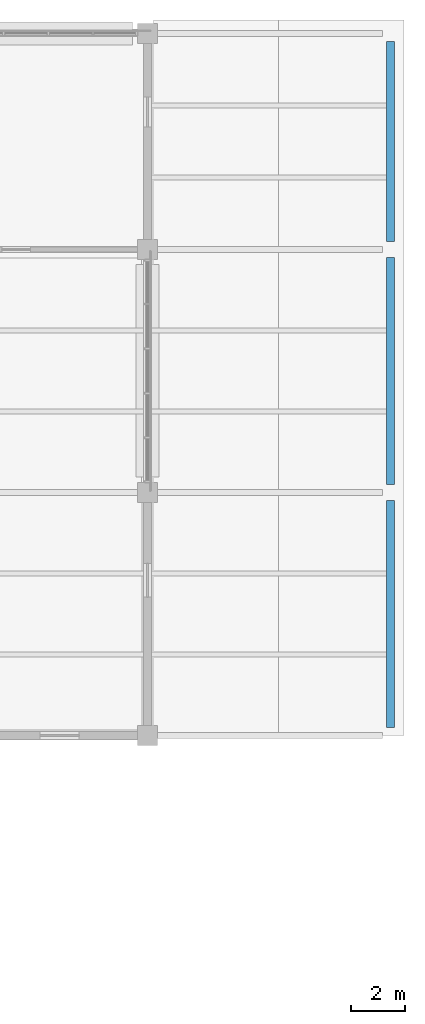
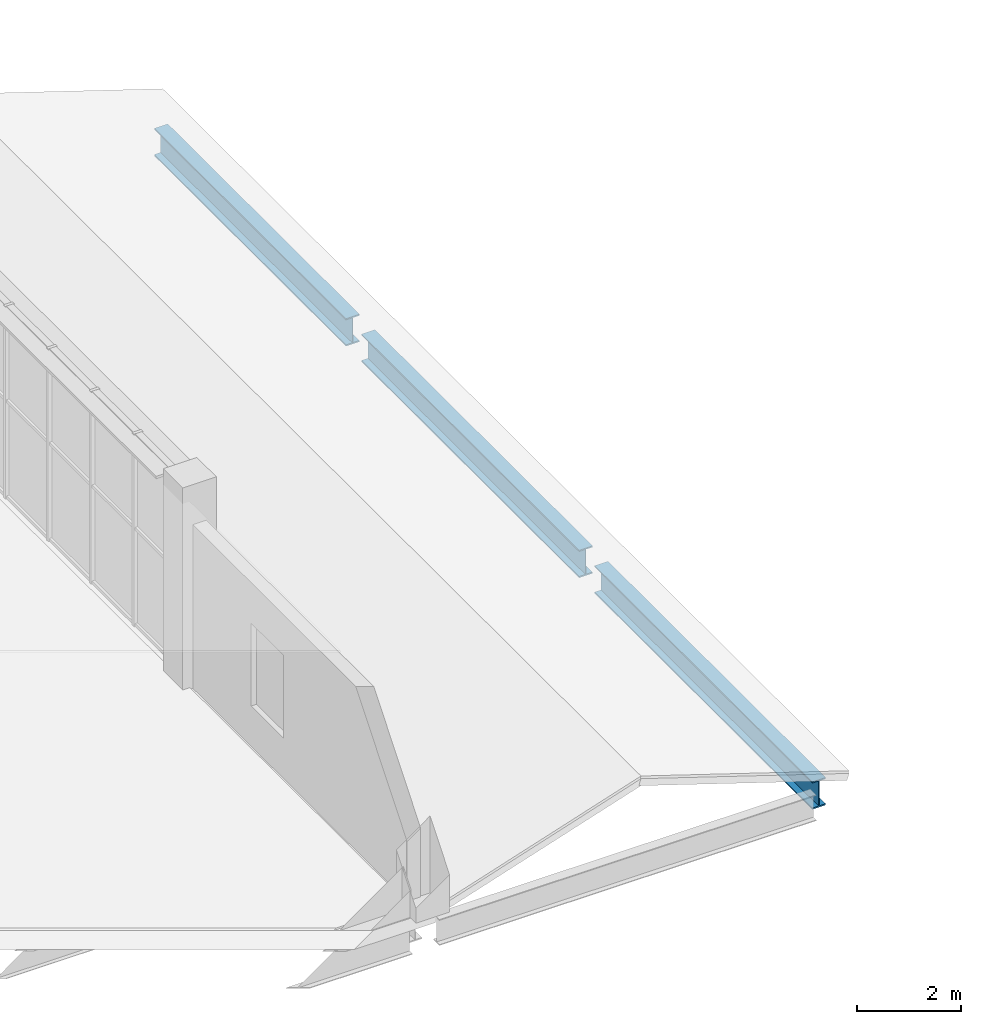
# One storey, part 69 of 152: 3 beams.
"""IFC4 building model written with IfcOpenShell, lengths in metres."""

from ifc_helpers import new_model, si_unit, direction, frame, origin, origin_2d, place, context, subcontext, project, spatial, i_section, extrude, material, material_profile, profile_set, type_object, element, save


model = new_model("IFC4")

# Units and contexts
model_context = context("Model", 3, precision=1e-05, world=origin(), true_north=direction((0.0, 1.0)))
body_context = subcontext(model_context, "Body", "Model", "MODEL_VIEW")
ifc_project = project(units=[si_unit("LENGTHUNIT", "METRE"), si_unit("AREAUNIT", "SQUARE_METRE"), si_unit("VOLUMEUNIT", "CUBIC_METRE"), si_unit("PLANEANGLEUNIT", "RADIAN"), si_unit("MASSUNIT", "GRAM", prefix="KILO")], contexts=[model_context])

# Site, building, storey
site_placement = place(None, origin())
site = spatial("IfcSite", under=ifc_project, at=site_placement, CompositionType="ELEMENT")
building_placement = place(site_placement, origin())
building = spatial("IfcBuilding", under=site, at=building_placement, Name="Zevraka Park Crest Stadium", CompositionType="ELEMENT")
storey_placement = place(building_placement, frame((0.0, 0.0, 15.0)))
storey = spatial("IfcBuildingStorey", under=building, at=storey_placement, Name="L03", CompositionType="ELEMENT", Elevation=15.0)

# Beams
ifc_material = material(Name="Steel S355", Category="steel")
ifc_material_profile = material_profile(ifc_material, i_section(OverallWidth=0.300048828125, OverallDepth=0.64990234375, WebThickness=0.01611328125, FlangeThickness=0.031005859375, at=origin_2d()), Name="HEB 650")
ifc_profile_set = profile_set([ifc_material_profile], Name="Steel S355")
beam_type = type_object("IfcBeamType", Name="BG07", PredefinedType="BEAM", material=ifc_profile_set)
for number, where, z_axis, x_axis, name in (
    (1, (224.0, 158.300048828125, -0.633056640625), (0.0, 1.0, 0.0), (-1.0, 0.0, 0.0), "Wing Girder BG07 L03-25/TU"),
    (2, (224.0, 167.300048828125, -0.633056640625), (0.0, 1.0, 0.0), (-1.0, 0.0, 0.0), "Wing Girder BG07 L03-25/UV"),
):
    element("IfcBeam", number, at=place(storey_placement, frame(where, z_axis=z_axis, x_axis=x_axis)), inside=storey, type_object=beam_type, Name=name, PredefinedType="BEAM", context=body_context, shape_type="SweptSolid", body=[
        extrude(i_section(OverallWidth=0.300048828125, OverallDepth=0.64990234375, WebThickness=0.01611328125, FlangeThickness=0.031005859375, at=origin_2d()), origin(), (0.0, 0.0, 1.0), 8.39990234375),
    ])
beam_placement = place(storey_placement, frame((224.0, 176.300048828125, -0.633056640625), z_axis=(0.0, 1.0, 0.0), x_axis=(-1.0, 0.0, 0.0)))
element("IfcBeam", 3, at=beam_placement, inside=storey, type_object=beam_type, Name="Wing Girder BG07 L03-25/VW", PredefinedType="BEAM", context=body_context, shape_type="SweptSolid", body=[
    extrude(i_section(OverallWidth=0.300048828125, OverallDepth=0.64990234375, WebThickness=0.01611328125, FlangeThickness=0.031005859375, at=origin_2d()), origin(), (0.0, 0.0, 1.0), 7.39990234375),
])

save(model, "model.ifc")
